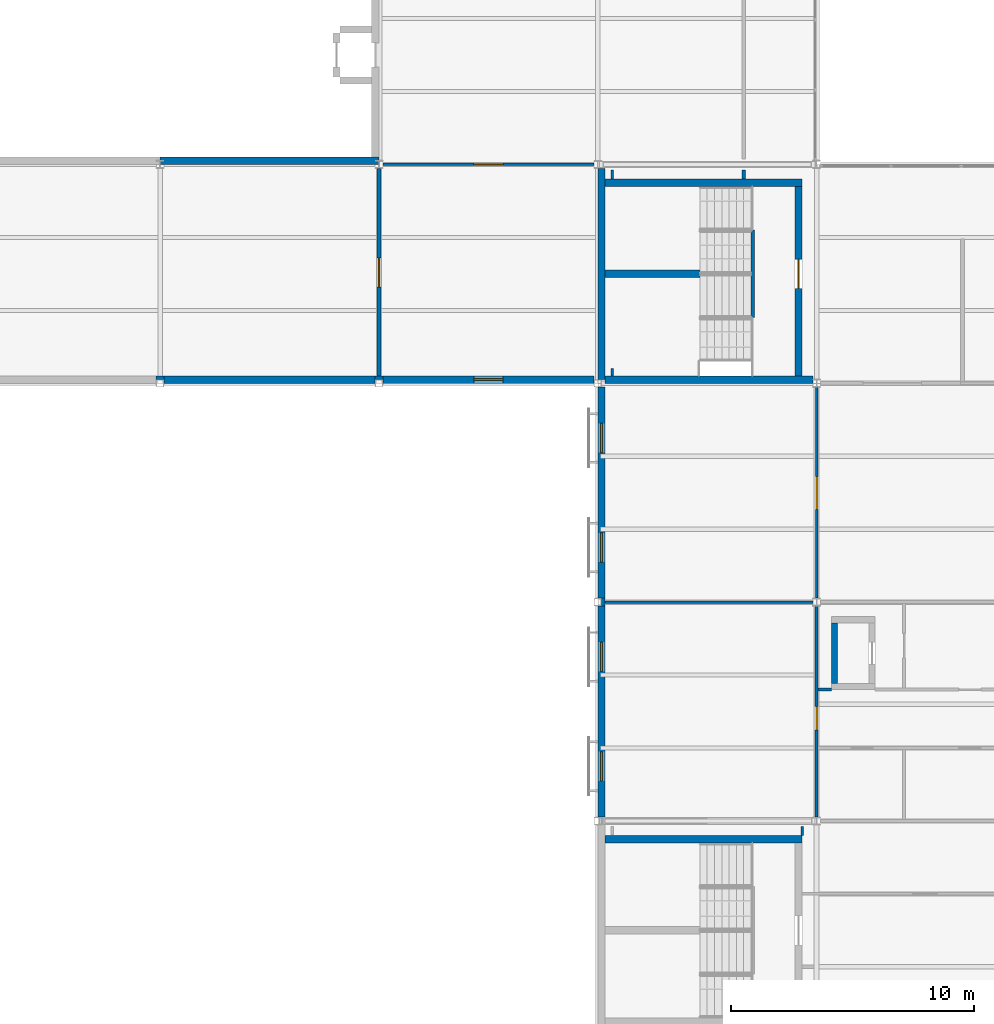
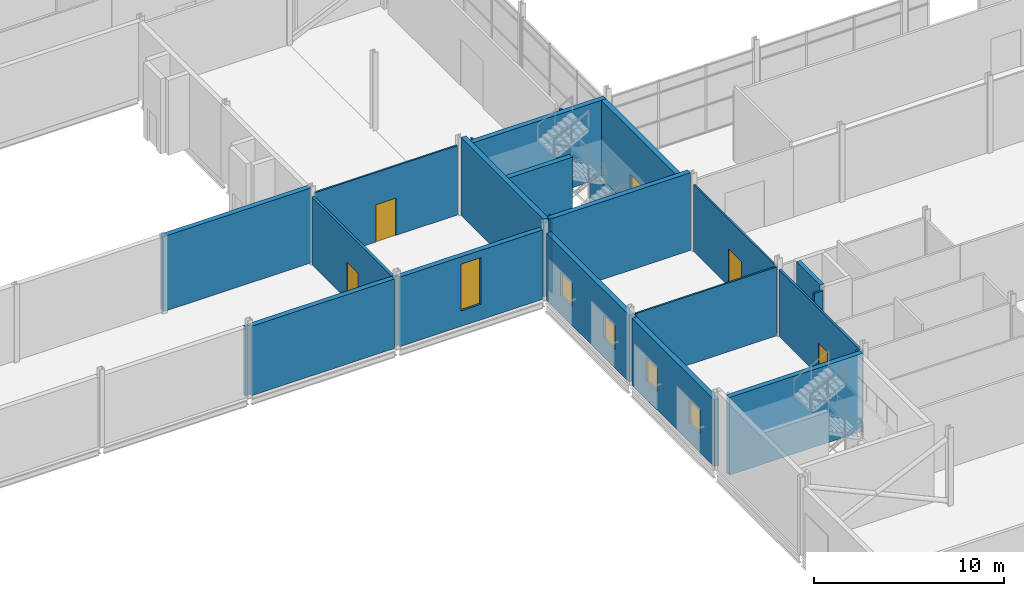
# One storey, part 77 of 112: 26 walls, 5 doors, 5 windows, 10 openings.
"""IFC4 building model written with IfcOpenShell, lengths in metres."""

from ifc_helpers import new_model, si_unit, direction, frame, frame_2d, origin, place, context, subcontext, project, spatial, rectangle, extrude, material, layer, layer_set, type_object, element, fill, save


model = new_model("IFC4")

# Units and contexts
model_context = context("Model", 3, precision=1e-05, world=origin(), true_north=direction((0.0, 1.0)))
body_context = subcontext(model_context, "Body", "Model", "MODEL_VIEW")
ifc_project = project(units=[si_unit("LENGTHUNIT", "METRE"), si_unit("AREAUNIT", "SQUARE_METRE"), si_unit("VOLUMEUNIT", "CUBIC_METRE"), si_unit("PLANEANGLEUNIT", "RADIAN"), si_unit("MASSUNIT", "GRAM", prefix="KILO")], contexts=[model_context])

# Site, building, storey
site_placement = place(None, origin())
site = spatial("IfcSite", under=ifc_project, at=site_placement, CompositionType="ELEMENT")
building_placement = place(site_placement, origin())
building = spatial("IfcBuilding", under=site, at=building_placement, Name="Shorebreak Coast Museum", CompositionType="ELEMENT")
storey_placement = place(building_placement, frame((0.0, 0.0, 6.0)))
storey = spatial("IfcBuildingStorey", under=building, at=storey_placement, Name="L01", CompositionType="ELEMENT", Elevation=6.0)

# Walls
ifc_material_1 = material(Name="Concrete N50 (50 MPa)", Category="concrete")
ifc_layer_1 = layer(ifc_material_1, 0.14990234375)
ifc_layer_set_1 = layer_set([ifc_layer_1], Name="Concrete N50 (50 MPa)")
wall_type_1 = type_object("IfcWallType", Name="Column closure panel 150", PredefinedType="SOLIDWALL", material=ifc_layer_set_1)
for number, where, z_axis, x_axis, name in (
    (1, (35.839111328125, 54.22509765625, 0.0), (0.0, 0.0, 1.0), (1.0, 0.0, 0.0), "Column closure panel L01 S 5G"),
    (2, (44.839111328125, 54.22509765625, 0.0), (0.0, 0.0, 1.0), (1.0, 0.0, 0.0), "Column closure panel L01 S 6G"),
):
    element("IfcWall", number, at=place(storey_placement, frame(where, z_axis=z_axis, x_axis=x_axis)), inside=storey, type_object=wall_type_1, Name=name, PredefinedType="SOLIDWALL", context=body_context, shape_type="SweptSolid", body=[
        extrude(rectangle(XDim=0.32177734375, YDim=0.14990234375, at=frame_2d((0.160888671875, 0.0))), origin(), (0.0, 0.0, 1.0), 4.469482421875),
    ])
wall_1_placement = place(storey_placement, frame((54.22509765625, 44.839111328125, 0.0), z_axis=(0.0, 0.0, 1.0), x_axis=(0.0, 1.0, 0.0)))
element("IfcWall", 3, at=wall_1_placement, inside=storey, type_object=wall_type_1, Name="Column closure panel L01 W 7F", PredefinedType="SOLIDWALL", context=body_context, shape_type="SweptSolid", body=[
    extrude(rectangle(XDim=0.32177734375, YDim=0.14990234375, at=frame_2d((0.160888671875, 0.0))), origin(), (0.0, 0.0, 1.0), 4.296875),
])

# Wall, opening, door
ifc_material_2 = material(Name="Plasterboard on steel stud", Category="steel")
ifc_layer_2 = layer(ifc_material_2, 0.14990234375)
ifc_layer_set_2 = layer_set([ifc_layer_2], Name="Plasterboard on steel stud")
wall_type_2 = type_object("IfcWallType", Name="Fire partition 150", PredefinedType="PARTITIONING", material=ifc_layer_set_2)
wall_2_placement = place(storey_placement, frame((45.0, 54.300048828125, 0.0), z_axis=(0.0, 0.0, 1.0), x_axis=(0.0, 1.0, 0.0)))
wall_2 = element("IfcWall", 4, at=wall_2_placement, inside=storey, type_object=wall_type_2, Name="Partition L01-096", PredefinedType="PARTITIONING", context=body_context, shape_type="SweptSolid", body=[
    extrude(rectangle(XDim=8.536376953125, YDim=0.14990234375, at=frame_2d((4.26806640625, 0.0))), origin(), (0.0, 0.0, 1.0), 4.364501953125),
])
opening_1_placement = place(wall_2_placement, frame((3.64990234375, 0.0, 0.0)))
opening_1 = element("IfcOpeningElement", 5, at=opening_1_placement, cuts=wall_2, Name="Opening D1047", PredefinedType="OPENING", context=body_context, shape_type="SweptSolid", body=[
    extrude(rectangle(XDim=1.199951171875, YDim=2.39990234375, at=frame_2d((0.60009765625, 1.199951171875))), frame((0.0, 0.0849609375, 0.0), z_axis=(0.0, -1.0, 0.0), x_axis=(1.0, 0.0, 0.0)), (0.0, 0.0, 1.0), 0.169921875),
])
ifc_material_3 = material(Name="Steel", Category="steel")
door_type_1 = type_object("IfcDoorType", Name="Fire door 1200x2400 60", OperationType="SINGLE_SWING_LEFT", PredefinedType="DOOR", material=ifc_material_3)
door_1_placement = place(opening_1_placement, origin())
door_1 = element("IfcDoor", 6, at=door_1_placement, inside=storey, type_object=door_type_1, Name="Door D1047 Maritime Gallery", OperationType="SINGLE_SWING_LEFT", OverallHeight=2.39990234375, OverallWidth=1.199951171875, PredefinedType="DOOR", context=body_context, shape_type="SweptSolid", body=[
    extrude(rectangle(XDim=1.199951171875, YDim=2.39990234375, at=frame_2d((0.60009765625, 1.199951171875))), frame((0.0, 0.02490234375, 0.0), z_axis=(0.0, -1.0, 0.0), x_axis=(1.0, 0.0, 0.0)), (0.0, 0.0, 1.0), 0.050048828125),
])
fill(opening_1, door_1)

# Walls
wall_3_placement = place(storey_placement, frame((60.0, 62.39990234375, 0.0), z_axis=(0.0, 0.0, 1.0), x_axis=(0.0, 1.0, 0.0)))
element("IfcWall", 7, at=wall_3_placement, inside=storey, type_object=wall_type_2, Name="Partition L01-107", PredefinedType="PARTITIONING", context=body_context, shape_type="SweptSolid", body=[
    extrude(rectangle(XDim=0.380126953125, YDim=0.14990234375, at=frame_2d((0.18994140625, 0.0))), origin(), (0.0, 0.0, 1.0), 4.824951171875),
])
ifc_material_4 = material(Name="Plasterboard on steel stud", Category="steel")
ifc_layer_3 = layer(ifc_material_4, 0.10009765625)
ifc_layer_set_3 = layer_set([ifc_layer_3], Name="Plasterboard on steel stud")
wall_type_3 = type_object("IfcWallType", Name="Partition 100", PredefinedType="PARTITIONING", material=ifc_layer_set_3)
wall_4_placement = place(storey_placement, frame((54.300048828125, 45.0, 0.0), z_axis=(0.0, 0.0, 1.0), x_axis=(1.0, 0.0, 0.0)))
element("IfcWall", 8, at=wall_4_placement, inside=storey, type_object=wall_type_3, Name="Partition L01-026", PredefinedType="PARTITIONING", context=body_context, shape_type="SweptSolid", body=[
    extrude(rectangle(XDim=8.54541015625, YDim=0.10009765625, at=frame_2d((4.272705078125, 0.0))), origin(), (0.0, 0.0, 1.0), 4.418701171875),
])

# Wall, opening, door
wall_5_placement = place(storey_placement, frame((45.155517578125, 63.0, 0.0), z_axis=(0.0, 0.0, 1.0), x_axis=(1.0, 0.0, 0.0)))
wall_5 = element("IfcWall", 9, at=wall_5_placement, inside=storey, type_object=wall_type_3, Name="Partition L01-043", PredefinedType="PARTITIONING", context=body_context, shape_type="SweptSolid", body=[
    extrude(rectangle(XDim=8.68994140625, YDim=0.10009765625, at=frame_2d((4.344970703125, 0.0))), origin(), (0.0, 0.0, 1.0), 4.469482421875),
])
opening_2_placement = place(wall_5_placement, frame((3.75, 0.0, 0.0)))
opening_2 = element("IfcOpeningElement", 10, at=opening_2_placement, cuts=wall_5, Name="Opening D1063", PredefinedType="OPENING", context=body_context, shape_type="SweptSolid", body=[
    extrude(rectangle(XDim=1.199951171875, YDim=2.39990234375, at=frame_2d((0.60009765625, 1.199951171875))), frame((0.0, 0.06005859375, 0.0), z_axis=(0.0, -1.0, 0.0), x_axis=(1.0, 0.0, 0.0)), (0.0, 0.0, 1.0), 0.1201171875),
])
ifc_material_5 = material(Name="Timber", Category="wood")
door_type_2 = type_object("IfcDoorType", Name="Interior door 1200x2400", OperationType="SINGLE_SWING_LEFT", PredefinedType="DOOR", material=ifc_material_5)
door_2_placement = place(opening_2_placement, origin())
door_2 = element("IfcDoor", 11, at=door_2_placement, inside=storey, type_object=door_type_2, Name="Door D1063 Maritime Gallery", OperationType="SINGLE_SWING_LEFT", OverallHeight=2.39990234375, OverallWidth=1.199951171875, PredefinedType="DOOR", context=body_context, shape_type="SweptSolid", body=[
    extrude(rectangle(XDim=1.199951171875, YDim=2.39990234375, at=frame_2d((0.60009765625, 1.199951171875))), frame((0.0, 0.02490234375, 0.0), z_axis=(0.0, -1.0, 0.0), x_axis=(1.0, 0.0, 0.0)), (0.0, 0.0, 1.0), 0.050048828125),
])
fill(opening_2, door_2)

# Walls
wall_6_placement = place(storey_placement, frame((54.60009765625, 54.300048828125, 0.0), z_axis=(0.0, 0.0, 1.0), x_axis=(0.0, 1.0, 0.0)))
element("IfcWall", 12, at=wall_6_placement, inside=storey, type_object=wall_type_3, Name="Partition L01-101", PredefinedType="PARTITIONING", context=body_context, shape_type="SweptSolid", body=[
    extrude(rectangle(XDim=0.300048828125, YDim=0.10009765625, at=frame_2d((0.14990234375, 0.0))), origin(), (0.0, 0.0, 1.0), 4.824951171875),
])
for number, where, z_axis, x_axis, name in (
    (13, (54.60009765625, 62.39990234375, 0.0), (0.0, 0.0, 1.0), (0.0, 1.0, 0.0), "Partition L01-102"),
    (14, (62.39990234375, 35.39990234375, 0.0), (0.0, 0.0, 1.0), (0.0, 1.0, 0.0), "Partition L01-112"),
):
    element("IfcWall", number, at=place(storey_placement, frame(where, z_axis=z_axis, x_axis=x_axis)), inside=storey, type_object=wall_type_3, Name=name, PredefinedType="PARTITIONING", context=body_context, shape_type="SweptSolid", body=[
        extrude(rectangle(XDim=0.380126953125, YDim=0.10009765625, at=frame_2d((0.18994140625, 0.0))), origin(), (0.0, 0.0, 1.0), 4.824951171875),
    ])

# Wall, opening, door
wall_7_placement = place(storey_placement, frame((63.0, 45.160400390625, 0.0), z_axis=(0.0, 0.0, 1.0), x_axis=(0.0, 1.0, 0.0)))
wall_7 = element("IfcWall", 15, at=wall_7_placement, inside=storey, type_object=wall_type_3, Name="Partition L01-115", PredefinedType="PARTITIONING", context=body_context, shape_type="SweptSolid", body=[
    extrude(rectangle(XDim=8.67919921875, YDim=0.10009765625, at=frame_2d((4.339599609375, 0.0))), origin(), (0.0, 0.0, 1.0), 4.296875),
])
opening_3_placement = place(wall_7_placement, frame((3.64990234375, 0.0, 0.0)))
opening_3 = element("IfcOpeningElement", 16, at=opening_3_placement, cuts=wall_7, Name="Opening D1041", PredefinedType="OPENING", context=body_context, shape_type="SweptSolid", body=[
    extrude(rectangle(XDim=1.35009765625, YDim=2.39990234375, at=frame_2d((0.675048828125, 1.199951171875))), frame((0.0, 0.06005859375, 0.0), z_axis=(0.0, -1.0, 0.0), x_axis=(1.0, 0.0, 0.0)), (0.0, 0.0, 1.0), 0.1201171875),
])
ifc_material_6 = material(Name="Timber", Category="wood")
door_type_3 = type_object("IfcDoorType", Name="Interior door 1350x2400", OperationType="SINGLE_SWING_LEFT", PredefinedType="DOOR", material=ifc_material_6)
door_3_placement = place(opening_3_placement, origin())
door_3 = element("IfcDoor", 17, at=door_3_placement, inside=storey, type_object=door_type_3, Name="Door D1041 Collection Store 1.04", OperationType="SINGLE_SWING_RIGHT", OverallHeight=2.39990234375, OverallWidth=1.35009765625, PredefinedType="DOOR", context=body_context, shape_type="SweptSolid", body=[
    extrude(rectangle(XDim=1.35009765625, YDim=2.39990234375, at=frame_2d((0.675048828125, 1.199951171875))), frame((0.0, 0.02490234375, 0.0), z_axis=(0.0, -1.0, 0.0), x_axis=(1.0, 0.0, 0.0)), (0.0, 0.0, 1.0), 0.050048828125),
])
fill(opening_3, door_3)

# Wall
ifc_material_7 = material(Name="Plasterboard on steel stud", Category="steel")
ifc_layer_4 = layer(ifc_material_7, 0.125)
ifc_layer_set_4 = layer_set([ifc_layer_4], Name="Plasterboard on steel stud")
wall_type_4 = type_object("IfcWallType", Name="Partition 125", PredefinedType="PARTITIONING", material=ifc_layer_set_4)
wall_8_placement = place(storey_placement, frame((63.0625, 41.39990234375, 0.0), z_axis=(0.0, 0.0, 1.0), x_axis=(1.0, 0.0, 0.0)))
element("IfcWall", 18, at=wall_8_placement, inside=storey, type_object=wall_type_4, Name="Partition L01-022", PredefinedType="PARTITIONING", context=body_context, shape_type="SweptSolid", body=[
    extrude(rectangle(XDim=0.53759765625, YDim=0.125, at=frame_2d((0.268798828125, 0.0))), origin(), (0.0, 0.0, 1.0), 4.824951171875),
])

# Wall, opening, door
wall_9_placement = place(storey_placement, frame((63.0, 36.160400390625, 0.0), z_axis=(0.0, 0.0, 1.0), x_axis=(0.0, 1.0, 0.0)))
wall_9 = element("IfcWall", 19, at=wall_9_placement, inside=storey, type_object=wall_type_4, Name="Partition L01-114", PredefinedType="PARTITIONING", context=body_context, shape_type="SweptSolid", body=[
    extrude(rectangle(XDim=8.67919921875, YDim=0.125, at=frame_2d((4.339599609375, 0.0))), origin(), (0.0, 0.0, 1.0), 4.296875),
])
opening_4_placement = place(wall_9_placement, frame((3.589599609375, 0.0, 0.0)))
opening_4 = element("IfcOpeningElement", 20, at=opening_4_placement, cuts=wall_9, Name="Opening D1037", PredefinedType="OPENING", context=body_context, shape_type="SweptSolid", body=[
    extrude(rectangle(XDim=0.949951171875, YDim=2.10009765625, at=frame_2d((0.47509765625, 1.050048828125))), frame((0.0, 0.072509765625, 0.0), z_axis=(0.0, -1.0, 0.0), x_axis=(1.0, 0.0, 0.0)), (0.0, 0.0, 1.0), 0.14501953125),
])
ifc_material_8 = material(Name="Timber", Category="wood")
door_type_4 = type_object("IfcDoorType", Name="Interior door 950x2100", OperationType="SINGLE_SWING_LEFT", PredefinedType="DOOR", material=ifc_material_8)
door_4_placement = place(opening_4_placement, origin())
door_4 = element("IfcDoor", 21, at=door_4_placement, inside=storey, type_object=door_type_4, Name="Door D1037 Collections Office 1.01", OperationType="SINGLE_SWING_LEFT", OverallHeight=2.10009765625, OverallWidth=0.949951171875, PredefinedType="DOOR", context=body_context, shape_type="SweptSolid", body=[
    extrude(rectangle(XDim=0.949951171875, YDim=2.10009765625, at=frame_2d((0.47509765625, 1.050048828125))), frame((0.0, 0.02490234375, 0.0), z_axis=(0.0, -1.0, 0.0), x_axis=(1.0, 0.0, 0.0)), (0.0, 0.0, 1.0), 0.050048828125),
])
fill(opening_4, door_4)

# Wall
ifc_material_9 = material(Name="Concrete N50 (50 MPa)", Category="concrete")
ifc_layer_5 = layer(ifc_material_9, 0.300048828125)
ifc_layer_set_5 = layer_set([ifc_layer_5], Name="Concrete N50 (50 MPa)")
wall_type_5 = type_object("IfcWallType", Name="Precast board-marked panel 300", PredefinedType="SOLIDWALL", material=ifc_layer_set_5)
wall_10_placement = place(storey_placement, frame((36.160888671875, 54.14990234375, 0.0), z_axis=(0.0, 0.0, 1.0), x_axis=(1.0, 0.0, 0.0)))
element("IfcWall", 22, at=wall_10_placement, inside=storey, type_object=wall_type_5, Name="External wall L01 S 5G", PredefinedType="SOLIDWALL", context=body_context, shape_type="SweptSolid", body=[
    extrude(rectangle(XDim=8.67822265625, YDim=0.300048828125, at=frame_2d((4.339111328125, 0.0))), origin(), (0.0, 0.0, 1.0), 4.469482421875),
])

# Wall, opening, window
wall_11_placement = place(storey_placement, frame((45.160888671875, 54.14990234375, 0.0), z_axis=(0.0, 0.0, 1.0), x_axis=(1.0, 0.0, 0.0)))
wall_11 = element("IfcWall", 23, at=wall_11_placement, inside=storey, type_object=wall_type_5, Name="External wall L01 S 6G", PredefinedType="SOLIDWALL", context=body_context, shape_type="SweptSolid", body=[
    extrude(rectangle(XDim=8.689208984375, YDim=0.300048828125, at=frame_2d((4.3447265625, 0.0))), origin(), (0.0, 0.0, 1.0), 4.469482421875),
])
opening_5_placement = place(wall_11_placement, frame((3.739013671875, 0.0, 1.0)))
opening_5 = element("IfcOpeningElement", 24, at=opening_5_placement, cuts=wall_11, Name="Opening WN1032", PredefinedType="OPENING", context=body_context, shape_type="SweptSolid", body=[
    extrude(rectangle(XDim=1.199951171875, YDim=3.0, at=frame_2d((0.60009765625, 1.5))), frame((0.0, 0.159912109375, 0.0), z_axis=(0.0, -1.0, 0.0), x_axis=(1.0, 0.0, 0.0)), (0.0, 0.0, 1.0), 0.320068359375),
])
ifc_material_10 = material(Name="Aluminium", Category="aluminium")
window_type_1 = type_object("IfcWindowType", Name="Foyer slot window 1200 x 3000", PartitioningType="SINGLE_PANEL", PredefinedType="WINDOW", material=ifc_material_10)
window_1_placement = place(opening_5_placement, origin())
window_1 = element("IfcWindow", 25, at=window_1_placement, inside=storey, type_object=window_type_1, Name="Window WN1032", OverallHeight=3.0, OverallWidth=1.199951171875, PartitioningType="SINGLE_PANEL", PredefinedType="WINDOW", context=body_context, shape_type="SweptSolid", body=[
    extrude(rectangle(XDim=1.199951171875, YDim=3.0, at=frame_2d((0.60009765625, 1.5))), frame((0.0, 0.030029296875, 0.0), z_axis=(0.0, -1.0, 0.0), x_axis=(1.0, 0.0, 0.0)), (0.0, 0.0, 1.0), 0.06005859375),
])
fill(opening_5, window_1)

# Walls
ifc_material_11 = material(Name="Concrete N50 (50 MPa)", Category="concrete")
ifc_layer_6 = layer(ifc_material_11, 0.25)
ifc_layer_set_6 = layer_set([ifc_layer_6], Name="Concrete N50 (50 MPa)")
wall_type_6 = type_object("IfcWallType", Name="RC riser wall 250", PredefinedType="STANDARD", material=ifc_layer_set_6)
wall_12_placement = place(storey_placement, frame((63.72509765625, 41.64990234375, 0.0), z_axis=(0.0, 0.0, 1.0), x_axis=(0.0, 1.0, 0.0)))
element("IfcWall", 26, at=wall_12_placement, inside=storey, type_object=wall_type_6, Name="Riser wall R-WC-S L01 W", PredefinedType="STANDARD", context=body_context, shape_type="SweptSolid", body=[
    extrude(rectangle(XDim=2.5, YDim=0.25, at=frame_2d((1.25, 0.0))), origin(), (0.0, 0.0, 1.0), 5.0),
])
ifc_material_12 = material(Name="Concrete N50 (50 MPa)", Category="concrete")
ifc_layer_7 = layer(ifc_material_12, 0.300048828125)
ifc_layer_set_7 = layer_set([ifc_layer_7], Name="Concrete N50 (50 MPa)")
wall_type_7 = type_object("IfcWallType", Name="RC wall 300", PredefinedType="SHEAR", material=ifc_layer_set_7)
wall_13_placement = place(storey_placement, frame((54.300048828125, 54.14990234375, 0.0), z_axis=(0.0, 0.0, 1.0), x_axis=(1.0, 0.0, 0.0)))
element("IfcWall", 27, at=wall_13_placement, inside=storey, type_object=wall_type_7, Name="Stair core wall ST01 L01 S", PredefinedType="SHEAR", context=body_context, shape_type="SweptSolid", body=[
    extrude(rectangle(XDim=8.54541015625, YDim=0.300048828125, at=frame_2d((4.272705078125, 0.0))), origin(), (0.0, 0.0, 1.0), 5.0),
])
wall_14_placement = place(storey_placement, frame((54.300048828125, 62.25, 0.0), z_axis=(0.0, 0.0, 1.0), x_axis=(1.0, 0.0, 0.0)))
element("IfcWall", 28, at=wall_14_placement, inside=storey, type_object=wall_type_7, Name="Stair core wall ST01 L01 N", PredefinedType="SHEAR", context=body_context, shape_type="SweptSolid", body=[
    extrude(rectangle(XDim=8.099853515625, YDim=0.300048828125, at=frame_2d((4.0498046875, 0.0))), origin(), (0.0, 0.0, 1.0), 5.0),
])
wall_15_placement = place(storey_placement, frame((54.14990234375, 54.14990234375, 0.0), z_axis=(0.0, 0.0, 1.0), x_axis=(0.0, 1.0, 0.0)))
element("IfcWall", 29, at=wall_15_placement, inside=storey, type_object=wall_type_7, Name="Stair core wall ST01 L01 W", PredefinedType="SHEAR", context=body_context, shape_type="SweptSolid", body=[
    extrude(rectangle(XDim=8.689697265625, YDim=0.300048828125, at=frame_2d((4.3447265625, 0.0))), origin(), (0.0, 0.0, 1.0), 5.0),
])

# Wall, opening, door
wall_16_placement = place(storey_placement, frame((62.25, 54.300048828125, 0.0), z_axis=(0.0, 0.0, 1.0), x_axis=(0.0, 1.0, 0.0)))
wall_16 = element("IfcWall", 30, at=wall_16_placement, inside=storey, type_object=wall_type_7, Name="Stair core wall ST01 L01 E", PredefinedType="SHEAR", context=body_context, shape_type="SweptSolid", body=[
    extrude(rectangle(XDim=7.800048828125, YDim=0.300048828125, at=frame_2d((3.89990234375, 0.0))), origin(), (0.0, 0.0, 1.0), 5.0),
])
opening_6_placement = place(wall_16_placement, frame((3.60009765625, 0.0, 0.0)))
opening_6 = element("IfcOpeningElement", 31, at=opening_6_placement, cuts=wall_16, Name="Opening D1801", PredefinedType="OPENING", context=body_context, shape_type="SweptSolid", body=[
    extrude(rectangle(XDim=1.199951171875, YDim=2.10009765625, at=frame_2d((0.60009765625, 1.050048828125))), frame((0.0, 0.159912109375, 0.0), z_axis=(0.0, -1.0, 0.0), x_axis=(1.0, 0.0, 0.0)), (0.0, 0.0, 1.0), 0.320068359375),
])
ifc_material_13 = material(Name="Steel Grade 300", Category="steel")
door_type_5 = type_object("IfcDoorType", Name="Fire door 1200x2100", OperationType="SINGLE_SWING_LEFT", PredefinedType="DOOR", material=ifc_material_13)
door_5_placement = place(opening_6_placement, origin())
door_5 = element("IfcDoor", 32, at=door_5_placement, inside=storey, type_object=door_type_5, Name="Stair door ST01 L01", OperationType="SINGLE_SWING_LEFT", OverallHeight=2.10009765625, OverallWidth=1.199951171875, PredefinedType="DOOR", context=body_context, shape_type="SweptSolid", body=[
    extrude(rectangle(XDim=1.199951171875, YDim=2.10009765625, at=frame_2d((0.60009765625, 1.050048828125))), frame((0.0, 0.02490234375, 0.0), z_axis=(0.0, -1.0, 0.0), x_axis=(1.0, 0.0, 0.0)), (0.0, 0.0, 1.0), 0.050048828125),
])
fill(opening_6, door_5)

# Walls
wall_17_placement = place(storey_placement, frame((54.300048828125, 35.25, 0.0), z_axis=(0.0, 0.0, 1.0), x_axis=(1.0, 0.0, 0.0)))
element("IfcWall", 33, at=wall_17_placement, inside=storey, type_object=wall_type_7, Name="Stair core wall ST13 L01 N", PredefinedType="SHEAR", context=body_context, shape_type="SweptSolid", body=[
    extrude(rectangle(XDim=8.099853515625, YDim=0.300048828125, at=frame_2d((4.0498046875, 0.0))), origin(), (0.0, 0.0, 1.0), 5.0),
])
wall_18_placement = place(storey_placement, frame((58.199951171875, 58.5, 0.0), z_axis=(0.0, 0.0, 1.0), x_axis=(-1.0, 0.0, 0.0)))
element("IfcWall", 34, at=wall_18_placement, inside=storey, type_object=wall_type_7, Name="Stair spine wall ST01 L01", PredefinedType="SHEAR", context=body_context, shape_type="SweptSolid", body=[
    extrude(rectangle(XDim=3.89990234375, YDim=0.300048828125, at=frame_2d((1.949951171875, 0.0))), origin(), (0.0, 0.0, 1.0), 5.0),
])
wall_19_placement = place(storey_placement, frame((36.0, 63.14990234375, 0.0), z_axis=(0.0, 0.0, 1.0), x_axis=(1.0, 0.0, 0.0)))
element("IfcWall", 35, at=wall_19_placement, inside=storey, type_object=wall_type_7, Name="Auditorium wall L01 S3", PredefinedType="SHEAR", context=body_context, shape_type="SweptSolid", body=[
    extrude(rectangle(XDim=9.0, YDim=0.300048828125, at=frame_2d((4.5, 0.0))), origin(), (0.0, 0.0, 1.0), 4.824951171875),
])

# Wall, openings, windows
ifc_material_14 = material(Name="Concrete N50 (50 MPa)", Category="concrete")
ifc_layer_8 = layer(ifc_material_14, 0.300048828125)
ifc_layer_set_8 = layer_set([ifc_layer_8], Name="Concrete N50 (50 MPa)")
wall_type_8 = type_object("IfcWallType", Name="Sand-coloured precast panel 300", PredefinedType="SOLIDWALL", material=ifc_layer_set_8)
wall_20_placement = place(storey_placement, frame((54.14990234375, 36.172119140625, 0.0), z_axis=(0.0, 0.0, 1.0), x_axis=(0.0, 1.0, 0.0)))
wall_20 = element("IfcWall", 36, at=wall_20_placement, inside=storey, type_object=wall_type_8, Name="External wall L01 W 7E", PredefinedType="SOLIDWALL", context=body_context, shape_type="SweptSolid", body=[
    extrude(rectangle(XDim=8.6669921875, YDim=0.300048828125, at=frame_2d((4.33349609375, 0.0))), origin(), (0.0, 0.0, 1.0), 4.296875),
])
opening_7_placement = place(wall_20_placement, frame((1.47802734375, 0.0, 1.199951171875)))
opening_7 = element("IfcOpeningElement", 37, at=opening_7_placement, cuts=wall_20, Name="Opening WN1048", PredefinedType="OPENING", context=body_context, shape_type="SweptSolid", body=[
    extrude(rectangle(XDim=1.199951171875, YDim=1.5, at=frame_2d((0.60009765625, 0.75))), frame((0.0, 0.159912109375, 0.0), z_axis=(0.0, -1.0, 0.0), x_axis=(1.0, 0.0, 0.0)), (0.0, 0.0, 1.0), 0.320068359375),
])
opening_8_placement = place(wall_20_placement, frame((5.97802734375, 0.0, 1.199951171875)))
opening_8 = element("IfcOpeningElement", 38, at=opening_8_placement, cuts=wall_20, Name="Opening WN1049", PredefinedType="OPENING", context=body_context, shape_type="SweptSolid", body=[
    extrude(rectangle(XDim=1.199951171875, YDim=1.5, at=frame_2d((0.60009765625, 0.75))), frame((0.0, 0.159912109375, 0.0), z_axis=(0.0, -1.0, 0.0), x_axis=(1.0, 0.0, 0.0)), (0.0, 0.0, 1.0), 0.320068359375),
])
ifc_material_15 = material(Name="Aluminium", Category="aluminium")
window_type_2 = type_object("IfcWindowType", Name="Punched window 1200 x 1500", PartitioningType="SINGLE_PANEL", PredefinedType="WINDOW", material=ifc_material_15)
window_2_placement = place(opening_7_placement, origin())
window_2 = element("IfcWindow", 39, at=window_2_placement, inside=storey, type_object=window_type_2, Name="Window WN1048", OverallHeight=1.5, OverallWidth=1.199951171875, PartitioningType="SINGLE_PANEL", PredefinedType="WINDOW", context=body_context, shape_type="SweptSolid", body=[
    extrude(rectangle(XDim=1.199951171875, YDim=1.5, at=frame_2d((0.60009765625, 0.75))), frame((0.0, 0.030029296875, 0.0), z_axis=(0.0, -1.0, 0.0), x_axis=(1.0, 0.0, 0.0)), (0.0, 0.0, 1.0), 0.06005859375),
])
fill(opening_7, window_2)
window_3_placement = place(opening_8_placement, origin())
window_3 = element("IfcWindow", 40, at=window_3_placement, inside=storey, type_object=window_type_2, Name="Window WN1049", OverallHeight=1.5, OverallWidth=1.199951171875, PartitioningType="SINGLE_PANEL", PredefinedType="WINDOW", context=body_context, shape_type="SweptSolid", body=[
    extrude(rectangle(XDim=1.199951171875, YDim=1.5, at=frame_2d((0.60009765625, 0.75))), frame((0.0, 0.030029296875, 0.0), z_axis=(0.0, -1.0, 0.0), x_axis=(1.0, 0.0, 0.0)), (0.0, 0.0, 1.0), 0.06005859375),
])
fill(opening_8, window_3)

wall_21_placement = place(storey_placement, frame((54.14990234375, 45.160888671875, 0.0), z_axis=(0.0, 0.0, 1.0), x_axis=(0.0, 1.0, 0.0)))
wall_21 = element("IfcWall", 41, at=wall_21_placement, inside=storey, type_object=wall_type_8, Name="External wall L01 W 7F", PredefinedType="SOLIDWALL", context=body_context, shape_type="SweptSolid", body=[
    extrude(rectangle(XDim=8.689208984375, YDim=0.300048828125, at=frame_2d((4.3447265625, 0.0))), origin(), (0.0, 0.0, 1.0), 4.296875),
])
opening_9_placement = place(wall_21_placement, frame((1.489013671875, 0.0, 1.199951171875)))
opening_9 = element("IfcOpeningElement", 42, at=opening_9_placement, cuts=wall_21, Name="Opening WN1050", PredefinedType="OPENING", context=body_context, shape_type="SweptSolid", body=[
    extrude(rectangle(XDim=1.199951171875, YDim=1.5, at=frame_2d((0.60009765625, 0.75))), frame((0.0, 0.159912109375, 0.0), z_axis=(0.0, -1.0, 0.0), x_axis=(1.0, 0.0, 0.0)), (0.0, 0.0, 1.0), 0.320068359375),
])
opening_10_placement = place(wall_21_placement, frame((5.989013671875, 0.0, 1.199951171875)))
opening_10 = element("IfcOpeningElement", 43, at=opening_10_placement, cuts=wall_21, Name="Opening WN1051", PredefinedType="OPENING", context=body_context, shape_type="SweptSolid", body=[
    extrude(rectangle(XDim=1.199951171875, YDim=1.5, at=frame_2d((0.60009765625, 0.75))), frame((0.0, 0.159912109375, 0.0), z_axis=(0.0, -1.0, 0.0), x_axis=(1.0, 0.0, 0.0)), (0.0, 0.0, 1.0), 0.320068359375),
])
window_4_placement = place(opening_9_placement, origin())
window_4 = element("IfcWindow", 44, at=window_4_placement, inside=storey, type_object=window_type_2, Name="Window WN1050", OverallHeight=1.5, OverallWidth=1.199951171875, PartitioningType="SINGLE_PANEL", PredefinedType="WINDOW", context=body_context, shape_type="SweptSolid", body=[
    extrude(rectangle(XDim=1.199951171875, YDim=1.5, at=frame_2d((0.60009765625, 0.75))), frame((0.0, 0.030029296875, 0.0), z_axis=(0.0, -1.0, 0.0), x_axis=(1.0, 0.0, 0.0)), (0.0, 0.0, 1.0), 0.06005859375),
])
fill(opening_9, window_4)
window_5_placement = place(opening_10_placement, origin())
window_5 = element("IfcWindow", 45, at=window_5_placement, inside=storey, type_object=window_type_2, Name="Window WN1051", OverallHeight=1.5, OverallWidth=1.199951171875, PartitioningType="SINGLE_PANEL", PredefinedType="WINDOW", context=body_context, shape_type="SweptSolid", body=[
    extrude(rectangle(XDim=1.199951171875, YDim=1.5, at=frame_2d((0.60009765625, 0.75))), frame((0.0, 0.030029296875, 0.0), z_axis=(0.0, -1.0, 0.0), x_axis=(1.0, 0.0, 0.0)), (0.0, 0.0, 1.0), 0.06005859375),
])
fill(opening_10, window_5)

# Wall
ifc_material_16 = material(Name="Concrete N50 (50 MPa)", Category="concrete")
ifc_layer_9 = layer(ifc_material_16, 0.14990234375)
ifc_layer_set_9 = layer_set([ifc_layer_9], Name="Concrete N50 (50 MPa)")
wall_type_9 = type_object("IfcWallType", Name="Understair wall 150", PredefinedType="STANDARD", material=ifc_layer_set_9)
wall_22_placement = place(storey_placement, frame((60.375, 56.699951171875, 0.0), z_axis=(0.0, 0.0, 1.0), x_axis=(0.0, 1.0, 0.0)))
element("IfcWall", 46, at=wall_22_placement, inside=storey, type_object=wall_type_9, Name="Understair wall ST01 L01 floor", PredefinedType="STANDARD", context=body_context, shape_type="SweptSolid", body=[
    extrude(rectangle(XDim=3.60009765625, YDim=0.14990234375, at=frame_2d((1.800048828125, 0.0))), origin(), (0.0, 0.0, 1.0), 2.300048828125),
])

save(model, "model.ifc")
